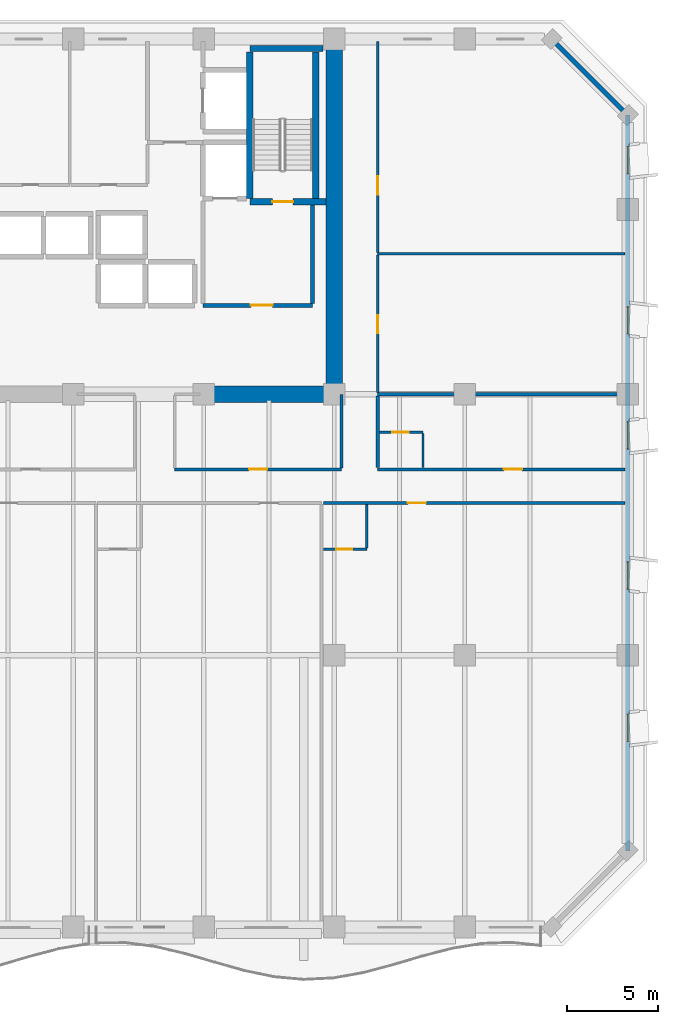
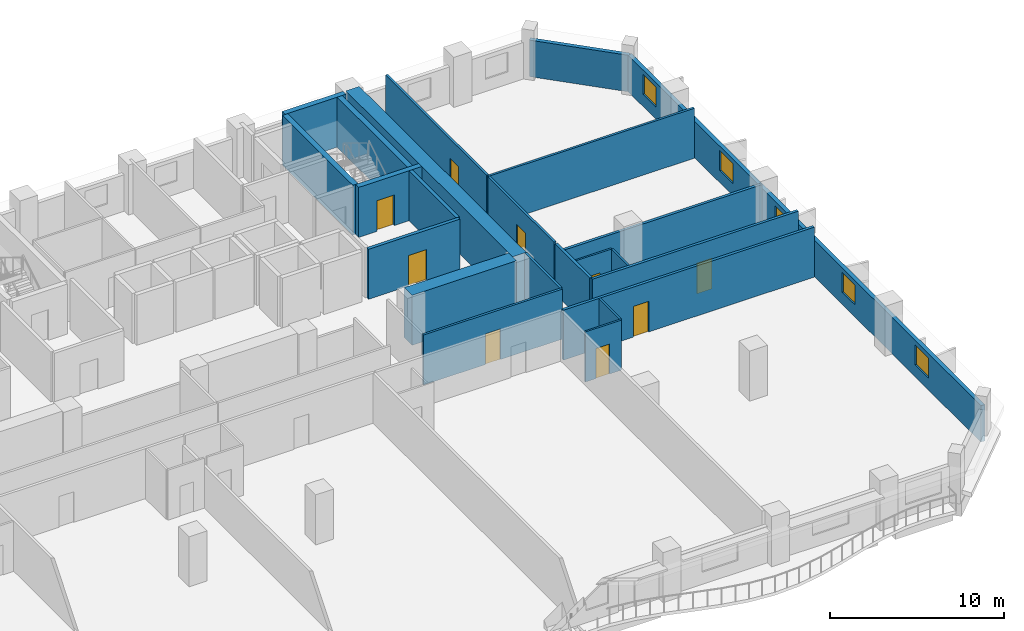
# One storey, part 10 of 15: 23 walls, 9 doors, 5 windows, 14 openings.
"""IFC4 building model written with IfcOpenShell, lengths in metres."""

from ifc_helpers import new_model, si_unit, direction, frame, frame_2d, origin, place, context, subcontext, project, spatial, rectangle, extrude, material, layer, layer_set, type_object, element, fill, save


model = new_model("IFC4")

# Units and contexts
model_context = context("Model", 3, precision=1e-05, world=origin(), true_north=direction((0.0, 1.0)))
body_context = subcontext(model_context, "Body", "Model", "MODEL_VIEW")
ifc_project = project(units=[si_unit("LENGTHUNIT", "METRE"), si_unit("AREAUNIT", "SQUARE_METRE"), si_unit("VOLUMEUNIT", "CUBIC_METRE"), si_unit("PLANEANGLEUNIT", "RADIAN"), si_unit("MASSUNIT", "GRAM", prefix="KILO")], contexts=[model_context])

# Site, building, storey
site_placement = place(None, origin())
site = spatial("IfcSite", under=ifc_project, at=site_placement, CompositionType="ELEMENT")
building_placement = place(site_placement, origin())
building = spatial("IfcBuilding", under=site, at=building_placement, Name="Kaelvorn Grand Hotel", CompositionType="ELEMENT")
storey_placement = place(building_placement, frame((0.0, 0.0, 115.550048828125)))
storey = spatial("IfcBuildingStorey", under=building, at=storey_placement, Name="L27", CompositionType="ELEMENT", Elevation=115.550048828125)

# Walls
ifc_material_1 = material(Name="Concrete C60/75", Category="concrete")
ifc_layer_1 = layer(ifc_material_1, 0.89990234375)
ifc_layer_set_1 = layer_set([ifc_layer_1], Name="Concrete C60/75")
wall_type_1 = type_object("IfcWallType", Name="WL-CORE-900-C60", PredefinedType="SHEAR", material=ifc_layer_set_1)
wall_1_placement = place(storey_placement, frame((67.800048828125, 29.39990234375, 0.0), z_axis=(0.0, 0.0, 1.0), x_axis=(0.0, 1.0, 0.0)))
element("IfcWall", 1, at=wall_1_placement, inside=storey, type_object=wall_type_1, Name="L27 Rear-Core East Shear Wall", PredefinedType="SHEAR", context=body_context, shape_type="SweptSolid", body=[
    extrude(rectangle(XDim=19.2001953125, YDim=0.89990234375, at=frame_2d((9.60009765625, 0.0))), origin(), (0.0, 0.0, 1.0), 3.510009765625),
])
wall_2_placement = place(storey_placement, frame((60.39990234375, 29.39990234375, 0.0), z_axis=(0.0, 0.0, 1.0), x_axis=(1.0, 0.0, 0.0)))
element("IfcWall", 2, at=wall_2_placement, inside=storey, type_object=wall_type_1, Name="L27 Rear-Core Coupled Shear Pier S4", PredefinedType="SHEAR", context=body_context, shape_type="SweptSolid", body=[
    extrude(rectangle(XDim=6.945068359375, YDim=0.89990234375, at=frame_2d((3.47265625, 0.0))), origin(), (0.0, 0.0, 1.0), 3.510009765625),
])

# Wall, openings, windows
ifc_material_2 = material(Name="Concrete C40/50", Category="concrete")
ifc_layer_2 = layer(ifc_material_2, 0.260009765625)
ifc_layer_set_2 = layer_set([ifc_layer_2], Name="Concrete C40/50")
wall_type_2 = type_object("IfcWallType", Name="WL-EXT-260-C40", PredefinedType="SOLIDWALL", material=ifc_layer_set_2)
wall_3_placement = place(storey_placement, frame((84.0, 4.199951171875, 0.0), z_axis=(0.0, 0.0, 1.0), x_axis=(0.0, 1.0, 0.0)))
wall_3 = element("IfcWall", 3, at=wall_3_placement, inside=storey, type_object=wall_type_2, Name="L27 Exterior Architectural Concrete Wall 03", PredefinedType="SOLIDWALL", context=body_context, shape_type="SweptSolid", body=[
    extrude(rectangle(XDim=40.60009765625, YDim=0.260009765625, at=frame_2d((20.300048828125, 0.0))), origin(), (0.0, 0.0, 1.0), 2.56005859375),
])
opening_1_placement = place(wall_3_placement, frame((6.050048828125, 0.0, 0.85009765625)))
opening_1 = element("IfcOpeningElement", 4, at=opening_1_placement, cuts=wall_3, Name="Opening W10", PredefinedType="OPENING", context=body_context, shape_type="SweptSolid", body=[
    extrude(rectangle(XDim=1.5, YDim=1.39990234375, at=frame_2d((0.75, 0.699951171875))), frame((0.0, 0.14013671875, 0.0), z_axis=(0.0, -1.0, 0.0), x_axis=(1.0, 0.0, 0.0)), (0.0, 0.0, 1.0), 0.280029296875),
])
opening_2_placement = place(wall_3_placement, frame((14.449951171875, 0.0, 0.85009765625)))
opening_2 = element("IfcOpeningElement", 5, at=opening_2_placement, cuts=wall_3, Name="Opening W10", PredefinedType="OPENING", context=body_context, shape_type="SweptSolid", body=[
    extrude(rectangle(XDim=1.5, YDim=1.39990234375, at=frame_2d((0.75, 0.699951171875))), frame((0.0, 0.14013671875, 0.0), z_axis=(0.0, -1.0, 0.0), x_axis=(1.0, 0.0, 0.0)), (0.0, 0.0, 1.0), 0.280029296875),
])
opening_3_placement = place(wall_3_placement, frame((22.175048828125, 0.0, 0.85009765625)))
opening_3 = element("IfcOpeningElement", 6, at=opening_3_placement, cuts=wall_3, Name="Opening W10", PredefinedType="OPENING", context=body_context, shape_type="SweptSolid", body=[
    extrude(rectangle(XDim=1.5, YDim=1.39990234375, at=frame_2d((0.75, 0.699951171875))), frame((0.0, 0.14013671875, 0.0), z_axis=(0.0, -1.0, 0.0), x_axis=(1.0, 0.0, 0.0)), (0.0, 0.0, 1.0), 0.280029296875),
])
opening_4_placement = place(wall_3_placement, frame((28.52490234375, 0.0, 0.85009765625)))
opening_4 = element("IfcOpeningElement", 7, at=opening_4_placement, cuts=wall_3, Name="Opening W10", PredefinedType="OPENING", context=body_context, shape_type="SweptSolid", body=[
    extrude(rectangle(XDim=1.5, YDim=1.39990234375, at=frame_2d((0.75, 0.699951171875))), frame((0.0, 0.14013671875, 0.0), z_axis=(0.0, -1.0, 0.0), x_axis=(1.0, 0.0, 0.0)), (0.0, 0.0, 1.0), 0.280029296875),
])
opening_5_placement = place(wall_3_placement, frame((37.364990234375, 0.0, 0.85009765625)))
opening_5 = element("IfcOpeningElement", 8, at=opening_5_placement, cuts=wall_3, Name="Opening W10", PredefinedType="OPENING", context=body_context, shape_type="SweptSolid", body=[
    extrude(rectangle(XDim=1.5, YDim=1.39990234375, at=frame_2d((0.75, 0.699951171875))), frame((0.0, 0.14013671875, 0.0), z_axis=(0.0, -1.0, 0.0), x_axis=(1.0, 0.0, 0.0)), (0.0, 0.0, 1.0), 0.280029296875),
])
ifc_material_3 = material(Name="Laminated Low-E Glass", Category="glass")
window_type = type_object("IfcWindowType", Name="WIN-COR-1500x1400", PartitioningType="SINGLE_PANEL", PredefinedType="WINDOW", material=ifc_material_3)
window_1_placement = place(opening_1_placement, origin())
window_1 = element("IfcWindow", 9, at=window_1_placement, inside=storey, type_object=window_type, Name="L27 E Wing Tilted-Frame Ribbon Window E01", OverallHeight=1.39990234375, OverallWidth=1.5, PartitioningType="SINGLE_PANEL", PredefinedType="WINDOW", context=body_context, shape_type="SweptSolid", body=[
    extrude(rectangle(XDim=1.5, YDim=1.39990234375, at=frame_2d((0.75, 0.699951171875))), frame((0.0, 0.030029296875, 0.0), z_axis=(0.0, -1.0, 0.0), x_axis=(1.0, 0.0, 0.0)), (0.0, 0.0, 1.0), 0.06005859375),
])
fill(opening_1, window_1)
window_2_placement = place(opening_2_placement, origin())
window_2 = element("IfcWindow", 10, at=window_2_placement, inside=storey, type_object=window_type, Name="L27 E Wing Tilted-Frame Ribbon Window E02", OverallHeight=1.39990234375, OverallWidth=1.5, PartitioningType="SINGLE_PANEL", PredefinedType="WINDOW", context=body_context, shape_type="SweptSolid", body=[
    extrude(rectangle(XDim=1.5, YDim=1.39990234375, at=frame_2d((0.75, 0.699951171875))), frame((0.0, 0.030029296875, 0.0), z_axis=(0.0, -1.0, 0.0), x_axis=(1.0, 0.0, 0.0)), (0.0, 0.0, 1.0), 0.06005859375),
])
fill(opening_2, window_2)
window_3_placement = place(opening_3_placement, origin())
window_3 = element("IfcWindow", 11, at=window_3_placement, inside=storey, type_object=window_type, Name="L27 E Wing Tilted-Frame Ribbon Window E03", OverallHeight=1.39990234375, OverallWidth=1.5, PartitioningType="SINGLE_PANEL", PredefinedType="WINDOW", context=body_context, shape_type="SweptSolid", body=[
    extrude(rectangle(XDim=1.5, YDim=1.39990234375, at=frame_2d((0.75, 0.699951171875))), frame((0.0, 0.030029296875, 0.0), z_axis=(0.0, -1.0, 0.0), x_axis=(1.0, 0.0, 0.0)), (0.0, 0.0, 1.0), 0.06005859375),
])
fill(opening_3, window_3)
window_4_placement = place(opening_4_placement, origin())
window_4 = element("IfcWindow", 12, at=window_4_placement, inside=storey, type_object=window_type, Name="L27 E Wing Tilted-Frame Ribbon Window E04", OverallHeight=1.39990234375, OverallWidth=1.5, PartitioningType="SINGLE_PANEL", PredefinedType="WINDOW", context=body_context, shape_type="SweptSolid", body=[
    extrude(rectangle(XDim=1.5, YDim=1.39990234375, at=frame_2d((0.75, 0.699951171875))), frame((0.0, 0.030029296875, 0.0), z_axis=(0.0, -1.0, 0.0), x_axis=(1.0, 0.0, 0.0)), (0.0, 0.0, 1.0), 0.06005859375),
])
fill(opening_4, window_4)
window_5_placement = place(opening_5_placement, origin())
window_5 = element("IfcWindow", 13, at=window_5_placement, inside=storey, type_object=window_type, Name="L27 E Wing Tilted-Frame Ribbon Window E05", OverallHeight=1.39990234375, OverallWidth=1.5, PartitioningType="SINGLE_PANEL", PredefinedType="WINDOW", context=body_context, shape_type="SweptSolid", body=[
    extrude(rectangle(XDim=1.5, YDim=1.39990234375, at=frame_2d((0.75, 0.699951171875))), frame((0.0, 0.030029296875, 0.0), z_axis=(0.0, -1.0, 0.0), x_axis=(1.0, 0.0, 0.0)), (0.0, 0.0, 1.0), 0.06005859375),
])
fill(opening_5, window_5)

# Wall
wall_4_placement = place(storey_placement, frame((84.0, 44.800048828125, 0.0), z_axis=(0.0, 0.0, 1.0), x_axis=(-0.707106781187, 0.707106781187, 0.0)))
element("IfcWall", 14, at=wall_4_placement, inside=storey, type_object=wall_type_2, Name="L27 Exterior Architectural Concrete Wall 04", PredefinedType="SOLIDWALL", context=body_context, shape_type="SweptSolid", body=[
    extrude(rectangle(XDim=5.939697265625, YDim=0.260009765625, at=frame_2d((2.9697265625, 0.0))), origin(), (0.0, 0.0, 1.0), 2.56005859375),
])

# Wall, opening, door
ifc_material_4 = material(Name="Moisture-Resistant Tile & Stud Board")
ifc_layer_3 = layer(ifc_material_4, 0.125)
ifc_layer_set_3 = layer_set([ifc_layer_3], Name="Moisture-Resistant Tile & Stud Board")
wall_type_3 = type_object("IfcWallType", Name="WL-PART-125-WET", PredefinedType="PARTITIONING", material=ifc_layer_set_3)
wall_5_placement = place(storey_placement, frame((67.1953125, 20.85009765625, 0.0), z_axis=(0.0, 0.0, 1.0), x_axis=(1.0, 0.0, 0.0)))
wall_5 = element("IfcWall", 15, at=wall_5_placement, inside=storey, type_object=wall_type_3, Name="L27 En-suite Bathroom L27-06 S Partition", PredefinedType="PARTITIONING", context=body_context, shape_type="SweptSolid", body=[
    extrude(rectangle(XDim=2.405029296875, YDim=0.125, at=frame_2d((1.20263671875, 0.0))), origin(), (0.0, 0.0, 1.0), 3.510009765625),
])
opening_6_placement = place(wall_5_placement, frame((0.705078125, 0.0, 0.0)))
opening_6 = element("IfcOpeningElement", 16, at=opening_6_placement, cuts=wall_5, Name="Opening DI4", PredefinedType="OPENING", context=body_context, shape_type="SweptSolid", body=[
    extrude(rectangle(XDim=0.89990234375, YDim=2.10009765625, at=frame_2d((0.449951171875, 1.050048828125))), frame((0.0, 0.072509765625, 0.0), z_axis=(0.0, -1.0, 0.0), x_axis=(1.0, 0.0, 0.0)), (0.0, 0.0, 1.0), 0.14501953125),
])
ifc_material_5 = material(Name="Timber Veneer Leaf", Category="wood")
door_type_1 = type_object("IfcDoorType", Name="DR-INT-BATH-900x2100", OperationType="NOTDEFINED", PredefinedType="DOOR", material=ifc_material_5)
door_1_placement = place(opening_6_placement, origin())
door_1 = element("IfcDoor", 17, at=door_1_placement, inside=storey, type_object=door_type_1, Name="L27 En-suite Bathroom L27-06 Door", OperationType="SINGLE_SWING_LEFT", OverallHeight=2.10009765625, OverallWidth=0.89990234375, PredefinedType="DOOR", context=body_context, shape_type="SweptSolid", body=[
    extrude(rectangle(XDim=0.89990234375, YDim=2.10009765625, at=frame_2d((0.449951171875, 1.050048828125))), frame((0.0, 0.02490234375, 0.0), z_axis=(0.0, -1.0, 0.0), x_axis=(1.0, 0.0, 0.0)), (0.0, 0.0, 1.0), 0.050048828125),
])
fill(opening_6, door_1)

# Wall
wall_6_placement = place(storey_placement, frame((69.600341796875, 20.91748046875, 0.0), z_axis=(0.0, 0.0, 1.0), x_axis=(0.0, 1.0, 0.0)))
element("IfcWall", 18, at=wall_6_placement, inside=storey, type_object=wall_type_3, Name="L27 En-suite Bathroom L27-06 E Partition", PredefinedType="PARTITIONING", context=body_context, shape_type="SweptSolid", body=[
    extrude(rectangle(XDim=2.387451171875, YDim=0.125, at=frame_2d((1.19384765625, 0.0))), origin(), (0.0, 0.0, 1.0), 3.510009765625),
])

# Wall, opening, door
wall_7_placement = place(storey_placement, frame((70.294921875, 27.300048828125, 0.0), z_axis=(0.0, 0.0, 1.0), x_axis=(1.0, 0.0, 0.0)))
wall_7 = element("IfcWall", 19, at=wall_7_placement, inside=storey, type_object=wall_type_3, Name="L27 En-suite Bathroom L27-08 N Partition", PredefinedType="PARTITIONING", context=body_context, shape_type="SweptSolid", body=[
    extrude(rectangle(XDim=2.405029296875, YDim=0.125, at=frame_2d((1.20263671875, 0.0))), origin(), (0.0, 0.0, 1.0), 3.510009765625),
])
opening_7_placement = place(wall_7_placement, frame((0.705078125, 0.0, 0.0)))
opening_7 = element("IfcOpeningElement", 20, at=opening_7_placement, cuts=wall_7, Name="Opening DI4", PredefinedType="OPENING", context=body_context, shape_type="SweptSolid", body=[
    extrude(rectangle(XDim=0.89990234375, YDim=2.10009765625, at=frame_2d((0.449951171875, 1.050048828125))), frame((0.0, 0.072509765625, 0.0), z_axis=(0.0, -1.0, 0.0), x_axis=(1.0, 0.0, 0.0)), (0.0, 0.0, 1.0), 0.14501953125),
])
door_2_placement = place(opening_7_placement, origin())
door_2 = element("IfcDoor", 21, at=door_2_placement, inside=storey, type_object=door_type_1, Name="L27 En-suite Bathroom L27-08 Door", OperationType="SINGLE_SWING_LEFT", OverallHeight=2.10009765625, OverallWidth=0.89990234375, PredefinedType="DOOR", context=body_context, shape_type="SweptSolid", body=[
    extrude(rectangle(XDim=0.89990234375, YDim=2.10009765625, at=frame_2d((0.449951171875, 1.050048828125))), frame((0.0, 0.02490234375, 0.0), z_axis=(0.0, -1.0, 0.0), x_axis=(1.0, 0.0, 0.0)), (0.0, 0.0, 1.0), 0.050048828125),
])
fill(opening_7, door_2)

# Wall
wall_8_placement = place(storey_placement, frame((72.699951171875, 25.344970703125, 0.0), z_axis=(0.0, 0.0, 1.0), x_axis=(0.0, 1.0, 0.0)))
element("IfcWall", 22, at=wall_8_placement, inside=storey, type_object=wall_type_3, Name="L27 En-suite Bathroom L27-08 E Partition", PredefinedType="PARTITIONING", context=body_context, shape_type="SweptSolid", body=[
    extrude(rectangle(XDim=1.887451171875, YDim=0.125, at=frame_2d((0.94384765625, 0.0))), origin(), (0.0, 0.0, 1.0), 3.510009765625),
])

# Wall, opening, door
ifc_material_6 = material(Name="Acoustic Gypsum & Stud Partition")
ifc_layer_4 = layer(ifc_material_6, 0.14990234375)
ifc_layer_set_4 = layer_set([ifc_layer_4], Name="Acoustic Gypsum & Stud Partition")
wall_type_4 = type_object("IfcWallType", Name="WL-PART-150-EI60", PredefinedType="PARTITIONING", material=ifc_layer_set_4)
wall_9_placement = place(storey_placement, frame((59.0, 25.25, 0.0), z_axis=(0.0, 0.0, 1.0), x_axis=(1.0, 0.0, 0.0)))
wall_9 = element("IfcWall", 23, at=wall_9_placement, inside=storey, type_object=wall_type_4, Name="L27 Trade Advisory Office S Partition", PredefinedType="PARTITIONING", context=body_context, shape_type="SweptSolid", body=[
    extrude(rectangle(XDim=9.199951171875, YDim=0.14990234375, at=frame_2d((4.60009765625, 0.0))), origin(), (0.0, 0.0, 1.0), 3.510009765625),
])
opening_8_placement = place(wall_9_placement, frame((4.10009765625, 0.0, 0.0)))
opening_8 = element("IfcOpeningElement", 24, at=opening_8_placement, cuts=wall_9, Name="Opening DI3", PredefinedType="OPENING", context=body_context, shape_type="SweptSolid", body=[
    extrude(rectangle(XDim=1.0, YDim=2.14990234375, at=frame_2d((0.5, 1.074951171875))), frame((0.0, 0.0849609375, 0.0), z_axis=(0.0, -1.0, 0.0), x_axis=(1.0, 0.0, 0.0)), (0.0, 0.0, 1.0), 0.169921875),
])
ifc_material_7 = material(Name="Timber Veneer Fire Leaf", Category="wood")
door_type_2 = type_object("IfcDoorType", Name="DR-INT-GUEST-1000x2150", OperationType="NOTDEFINED", PredefinedType="DOOR", material=ifc_material_7)
door_3_placement = place(opening_8_placement, origin())
door_3 = element("IfcDoor", 25, at=door_3_placement, inside=storey, type_object=door_type_2, Name="L27 Trade Advisory Office Door", OperationType="SINGLE_SWING_LEFT", OverallHeight=2.14990234375, OverallWidth=1.0, PredefinedType="DOOR", context=body_context, shape_type="SweptSolid", body=[
    extrude(rectangle(XDim=1.0, YDim=2.14990234375, at=frame_2d((0.5, 1.074951171875))), frame((0.0, 0.02490234375, 0.0), z_axis=(0.0, -1.0, 0.0), x_axis=(1.0, 0.0, 0.0)), (0.0, 0.0, 1.0), 0.050048828125),
])
fill(opening_8, door_3)

# Walls
wall_10_placement = place(storey_placement, frame((68.199951171875, 25.330078125, 0.0), z_axis=(0.0, 0.0, 1.0), x_axis=(0.0, 1.0, 0.0)))
element("IfcWall", 26, at=wall_10_placement, inside=storey, type_object=wall_type_4, Name="L27 Trade Advisory Office E Partition", PredefinedType="PARTITIONING", context=body_context, shape_type="SweptSolid", body=[
    extrude(rectangle(XDim=4.059814453125, YDim=0.14990234375, at=frame_2d((2.02978515625, 0.0))), origin(), (0.0, 0.0, 1.0), 3.510009765625),
])
wall_11_placement = place(storey_placement, frame((70.199951171875, 37.14990234375, 0.0), z_axis=(0.0, 0.0, 1.0), x_axis=(1.0, 0.0, 0.0)))
element("IfcWall", 27, at=wall_11_placement, inside=storey, type_object=wall_type_4, Name="L27 North-East Trade Advisory Office N Partition", PredefinedType="PARTITIONING", context=body_context, shape_type="SweptSolid", body=[
    extrude(rectangle(XDim=13.650146484375, YDim=0.14990234375, at=frame_2d((6.8251953125, 0.0))), origin(), (0.0, 0.0, 1.0), 3.510009765625),
])

# Wall, opening, door
wall_12_placement = place(storey_placement, frame((70.199951171875, 29.4951171875, 0.0), z_axis=(0.0, 0.0, 1.0), x_axis=(0.0, 1.0, 0.0)))
wall_12 = element("IfcWall", 28, at=wall_12_placement, inside=storey, type_object=wall_type_4, Name="L27 North-East Trade Advisory Office W Partition", PredefinedType="PARTITIONING", context=body_context, shape_type="SweptSolid", body=[
    extrude(rectangle(XDim=7.574951171875, YDim=0.14990234375, at=frame_2d((3.78759765625, 0.0))), origin(), (0.0, 0.0, 1.0), 3.510009765625),
])
opening_9_placement = place(wall_12_placement, frame((3.27490234375, 0.0, 0.0)))
opening_9 = element("IfcOpeningElement", 29, at=opening_9_placement, cuts=wall_12, Name="Opening DI3", PredefinedType="OPENING", context=body_context, shape_type="SweptSolid", body=[
    extrude(rectangle(XDim=1.0, YDim=2.14990234375, at=frame_2d((0.5, 1.074951171875))), frame((0.0, 0.0849609375, 0.0), z_axis=(0.0, -1.0, 0.0), x_axis=(1.0, 0.0, 0.0)), (0.0, 0.0, 1.0), 0.169921875),
])
door_4_placement = place(opening_9_placement, origin())
door_4 = element("IfcDoor", 30, at=door_4_placement, inside=storey, type_object=door_type_2, Name="L27 North-East Trade Advisory Office Door", OperationType="SINGLE_SWING_RIGHT", OverallHeight=2.14990234375, OverallWidth=1.0, PredefinedType="DOOR", context=body_context, shape_type="SweptSolid", body=[
    extrude(rectangle(XDim=1.0, YDim=2.14990234375, at=frame_2d((0.5, 1.074951171875))), frame((0.0, 0.02490234375, 0.0), z_axis=(0.0, -1.0, 0.0), x_axis=(1.0, 0.0, 0.0)), (0.0, 0.0, 1.0), 0.050048828125),
])
fill(opening_9, door_4)

wall_13_placement = place(storey_placement, frame((70.199951171875, 37.22998046875, 0.0), z_axis=(0.0, 0.0, 1.0), x_axis=(0.0, 1.0, 0.0)))
wall_13 = element("IfcWall", 31, at=wall_13_placement, inside=storey, type_object=wall_type_4, Name="L27 North-East Botanical Conservatory Salon W Partition", PredefinedType="PARTITIONING", context=body_context, shape_type="SweptSolid", body=[
    extrude(rectangle(XDim=11.6201171875, YDim=0.14990234375, at=frame_2d((5.81005859375, 0.0))), origin(), (0.0, 0.0, 1.0), 3.510009765625),
])
opening_10_placement = place(wall_13_placement, frame((3.18994140625, 0.0, 0.0)))
opening_10 = element("IfcOpeningElement", 32, at=opening_10_placement, cuts=wall_13, Name="Opening DI3", PredefinedType="OPENING", context=body_context, shape_type="SweptSolid", body=[
    extrude(rectangle(XDim=1.0, YDim=2.14990234375, at=frame_2d((0.5, 1.074951171875))), frame((0.0, 0.0849609375, 0.0), z_axis=(0.0, -1.0, 0.0), x_axis=(1.0, 0.0, 0.0)), (0.0, 0.0, 1.0), 0.169921875),
])
door_5_placement = place(opening_10_placement, origin())
door_5 = element("IfcDoor", 33, at=door_5_placement, inside=storey, type_object=door_type_2, Name="L27 North-East Botanical Conservatory Salon Door", OperationType="SINGLE_SWING_LEFT", OverallHeight=2.14990234375, OverallWidth=1.0, PredefinedType="DOOR", context=body_context, shape_type="SweptSolid", body=[
    extrude(rectangle(XDim=1.0, YDim=2.14990234375, at=frame_2d((0.5, 1.074951171875))), frame((0.0, 0.02490234375, 0.0), z_axis=(0.0, -1.0, 0.0), x_axis=(1.0, 0.0, 0.0)), (0.0, 0.0, 1.0), 0.050048828125),
])
fill(opening_10, door_5)

ifc_layer_5 = layer(ifc_material_6, 0.179931640625)
ifc_layer_set_5 = layer_set([ifc_layer_5], Name="Acoustic Gypsum & Stud Partition")
wall_type_5 = type_object("IfcWallType", Name="WL-PART-180-EI60", PredefinedType="PARTITIONING", material=ifc_layer_set_5)
wall_14_placement = place(storey_placement, frame((67.1953125, 23.39990234375, 0.0), z_axis=(0.0, 0.0, 1.0), x_axis=(1.0, 0.0, 0.0)))
wall_14 = element("IfcWall", 34, at=wall_14_placement, inside=storey, type_object=wall_type_5, Name="L27 Presidential Sky Suite L27-06 N Partition", PredefinedType="PARTITIONING", context=body_context, shape_type="SweptSolid", body=[
    extrude(rectangle(XDim=16.65478515625, YDim=0.179931640625, at=frame_2d((8.327392578125, 0.0))), origin(), (0.0, 0.0, 1.0), 3.510009765625),
])
opening_11_placement = place(wall_14_placement, frame((4.664794921875, 0.0, 0.0)))
opening_11 = element("IfcOpeningElement", 35, at=opening_11_placement, cuts=wall_14, Name="Opening DI3", PredefinedType="OPENING", context=body_context, shape_type="SweptSolid", body=[
    extrude(rectangle(XDim=1.0, YDim=2.14990234375, at=frame_2d((0.5, 1.074951171875))), frame((0.0, 0.10009765625, 0.0), z_axis=(0.0, -1.0, 0.0), x_axis=(1.0, 0.0, 0.0)), (0.0, 0.0, 1.0), 0.199951171875),
])
door_6_placement = place(opening_11_placement, origin())
door_6 = element("IfcDoor", 36, at=door_6_placement, inside=storey, type_object=door_type_2, Name="L27 Presidential Sky Suite L27-06 Door", OperationType="SINGLE_SWING_RIGHT", OverallHeight=2.14990234375, OverallWidth=1.0, PredefinedType="DOOR", context=body_context, shape_type="SweptSolid", body=[
    extrude(rectangle(XDim=1.0, YDim=2.14990234375, at=frame_2d((0.5, 1.074951171875))), frame((0.0, 0.02490234375, 0.0), z_axis=(0.0, -1.0, 0.0), x_axis=(1.0, 0.0, 0.0)), (0.0, 0.0, 1.0), 0.050048828125),
])
fill(opening_11, door_6)

wall_15_placement = place(storey_placement, frame((70.199951171875, 25.25, 0.0), z_axis=(0.0, 0.0, 1.0), x_axis=(1.0, 0.0, 0.0)))
wall_15 = element("IfcWall", 37, at=wall_15_placement, inside=storey, type_object=wall_type_5, Name="L27 East Chamfer Corner Suite L27-08 S Partition", PredefinedType="PARTITIONING", context=body_context, shape_type="SweptSolid", body=[
    extrude(rectangle(XDim=13.650146484375, YDim=0.179931640625, at=frame_2d((6.8251953125, 0.0))), origin(), (0.0, 0.0, 1.0), 3.510009765625),
])
opening_12_placement = place(wall_15_placement, frame((6.965087890625, 0.0, 0.0)))
opening_12 = element("IfcOpeningElement", 38, at=opening_12_placement, cuts=wall_15, Name="Opening DI3", PredefinedType="OPENING", context=body_context, shape_type="SweptSolid", body=[
    extrude(rectangle(XDim=1.0, YDim=2.14990234375, at=frame_2d((0.5, 1.074951171875))), frame((0.0, 0.10009765625, 0.0), z_axis=(0.0, -1.0, 0.0), x_axis=(1.0, 0.0, 0.0)), (0.0, 0.0, 1.0), 0.199951171875),
])
door_7_placement = place(opening_12_placement, origin())
door_7 = element("IfcDoor", 39, at=door_7_placement, inside=storey, type_object=door_type_2, Name="L27 East Chamfer Corner Suite L27-08 Door", OperationType="SINGLE_SWING_RIGHT", OverallHeight=2.14990234375, OverallWidth=1.0, PredefinedType="DOOR", context=body_context, shape_type="SweptSolid", body=[
    extrude(rectangle(XDim=1.0, YDim=2.14990234375, at=frame_2d((0.5, 1.074951171875))), frame((0.0, 0.02490234375, 0.0), z_axis=(0.0, -1.0, 0.0), x_axis=(1.0, 0.0, 0.0)), (0.0, 0.0, 1.0), 0.050048828125),
])
fill(opening_12, door_7)

# Walls
wall_16_placement = place(storey_placement, frame((70.199951171875, 29.39990234375, 0.0), z_axis=(0.0, 0.0, 1.0), x_axis=(1.0, 0.0, 0.0)))
element("IfcWall", 40, at=wall_16_placement, inside=storey, type_object=wall_type_5, Name="L27 East Chamfer Corner Suite L27-08 N Partition", PredefinedType="PARTITIONING", context=body_context, shape_type="SweptSolid", body=[
    extrude(rectangle(XDim=13.650146484375, YDim=0.179931640625, at=frame_2d((6.8251953125, 0.0))), origin(), (0.0, 0.0, 1.0), 2.85986328125),
])
wall_17_placement = place(storey_placement, frame((70.199951171875, 25.344970703125, 0.0), z_axis=(0.0, 0.0, 1.0), x_axis=(0.0, 1.0, 0.0)))
element("IfcWall", 41, at=wall_17_placement, inside=storey, type_object=wall_type_5, Name="L27 East Chamfer Corner Suite L27-08 W Partition", PredefinedType="PARTITIONING", context=body_context, shape_type="SweptSolid", body=[
    extrude(rectangle(XDim=3.9599609375, YDim=0.179931640625, at=frame_2d((1.97998046875, 0.0))), origin(), (0.0, 0.0, 1.0), 3.510009765625),
])

# Wall, opening, door
ifc_layer_6 = layer(ifc_material_2, 0.219970703125)
ifc_layer_set_6 = layer_set([ifc_layer_6], Name="Concrete C40/50")
wall_type_6 = type_object("IfcWallType", Name="WL-PART-220-EI120", PredefinedType="PARTITIONING", material=ifc_layer_set_6)
wall_18_placement = place(storey_placement, frame((60.550048828125, 34.300048828125, 0.0), z_axis=(0.0, 0.0, 1.0), x_axis=(1.0, 0.0, 0.0)))
wall_18 = element("IfcWall", 42, at=wall_18_placement, inside=storey, type_object=wall_type_6, Name="L27 Firefighting Lift Lobby 2 S Partition", PredefinedType="PARTITIONING", context=body_context, shape_type="SweptSolid", body=[
    extrude(rectangle(XDim=6.050048828125, YDim=0.219970703125, at=frame_2d((3.02490234375, 0.0))), origin(), (0.0, 0.0, 1.0), 3.510009765625),
])
opening_13_placement = place(wall_18_placement, frame((2.64990234375, 0.0, 0.0)))
opening_13 = element("IfcOpeningElement", 43, at=opening_13_placement, cuts=wall_18, Name="Opening DI2", PredefinedType="OPENING", context=body_context, shape_type="SweptSolid", body=[
    extrude(rectangle(XDim=1.199951171875, YDim=2.14990234375, at=frame_2d((0.60009765625, 1.074951171875))), frame((0.0, 0.1201171875, 0.0), z_axis=(0.0, -1.0, 0.0), x_axis=(1.0, 0.0, 0.0)), (0.0, 0.0, 1.0), 0.239990234375),
])
door_type_3 = type_object("IfcDoorType", Name="DR-INT-FFLOB-1200x2150", OperationType="NOTDEFINED", PredefinedType="DOOR", material=ifc_material_7)
door_8_placement = place(opening_13_placement, origin())
door_8 = element("IfcDoor", 44, at=door_8_placement, inside=storey, type_object=door_type_3, Name="L27 Firefighting Lift Lobby 2 Door", OperationType="SINGLE_SWING_RIGHT", OverallHeight=2.14990234375, OverallWidth=1.199951171875, PredefinedType="DOOR", context=body_context, shape_type="SweptSolid", body=[
    extrude(rectangle(XDim=1.199951171875, YDim=2.14990234375, at=frame_2d((0.60009765625, 1.074951171875))), frame((0.0, 0.02490234375, 0.0), z_axis=(0.0, -1.0, 0.0), x_axis=(1.0, 0.0, 0.0)), (0.0, 0.0, 1.0), 0.050048828125),
])
fill(opening_13, door_8)

# Wall
wall_19_placement = place(storey_placement, frame((66.60009765625, 34.4150390625, 0.0), z_axis=(0.0, 0.0, 1.0), x_axis=(0.0, 1.0, 0.0)))
element("IfcWall", 45, at=wall_19_placement, inside=storey, type_object=wall_type_6, Name="L27 Firefighting Lift Lobby 2 E Partition", PredefinedType="PARTITIONING", context=body_context, shape_type="SweptSolid", body=[
    extrude(rectangle(XDim=5.429931640625, YDim=0.219970703125, at=frame_2d((2.71484375, 0.0))), origin(), (0.0, 0.0, 1.0), 3.510009765625),
])

# Wall, opening, door
ifc_layer_7 = layer(ifc_material_1, 0.35009765625)
ifc_layer_set_7 = layer_set([ifc_layer_7], Name="Concrete C60/75")
wall_type_7 = type_object("IfcWallType", Name="WL-SHAFT-350-C60", PredefinedType="SHEAR", material=ifc_layer_set_7)
wall_20_placement = place(storey_placement, frame((63.14501953125, 40.02490234375, 0.0), z_axis=(0.0, 0.0, 1.0), x_axis=(1.0, 0.0, 0.0)))
wall_20 = element("IfcWall", 46, at=wall_20_placement, inside=storey, type_object=wall_type_7, Name="L27 ST3 Stair Shaft South Wall", PredefinedType="SHEAR", context=body_context, shape_type="SweptSolid", body=[
    extrude(rectangle(XDim=4.199951171875, YDim=0.35009765625, at=frame_2d((2.10009765625, 0.0))), origin(), (0.0, 0.0, 1.0), 3.510009765625),
])
opening_14_placement = place(wall_20_placement, frame((1.239990234375, 0.0, 0.0)))
opening_14 = element("IfcOpeningElement", 47, at=opening_14_placement, cuts=wall_20, Name="Opening DI1", PredefinedType="OPENING", context=body_context, shape_type="SweptSolid", body=[
    extrude(rectangle(XDim=1.14990234375, YDim=2.14990234375, at=frame_2d((0.574951171875, 1.074951171875))), frame((0.0, 0.18505859375, 0.0), z_axis=(0.0, -1.0, 0.0), x_axis=(1.0, 0.0, 0.0)), (0.0, 0.0, 1.0), 0.3701171875),
])
door_type_4 = type_object("IfcDoorType", Name="DR-INT-STAIR-1150x2150", OperationType="NOTDEFINED", PredefinedType="DOOR", material=ifc_material_7)
door_9_placement = place(opening_14_placement, origin())
door_9 = element("IfcDoor", 48, at=door_9_placement, inside=storey, type_object=door_type_4, Name="L27 ST3 Exit Stair Fire Door", OperationType="SINGLE_SWING_RIGHT", OverallHeight=2.14990234375, OverallWidth=1.14990234375, PredefinedType="DOOR", context=body_context, shape_type="SweptSolid", body=[
    extrude(rectangle(XDim=1.14990234375, YDim=2.14990234375, at=frame_2d((0.574951171875, 1.074951171875))), frame((0.0, 0.02490234375, 0.0), z_axis=(0.0, -1.0, 0.0), x_axis=(1.0, 0.0, 0.0)), (0.0, 0.0, 1.0), 0.050048828125),
])
fill(opening_14, door_9)

# Walls
wall_21_placement = place(storey_placement, frame((63.14501953125, 48.47509765625, 0.0), z_axis=(0.0, 0.0, 1.0), x_axis=(1.0, 0.0, 0.0)))
element("IfcWall", 49, at=wall_21_placement, inside=storey, type_object=wall_type_7, Name="L27 ST3 Stair Shaft North Wall", PredefinedType="SHEAR", context=body_context, shape_type="SweptSolid", body=[
    extrude(rectangle(XDim=4.050048828125, YDim=0.35009765625, at=frame_2d((2.02490234375, 0.0))), origin(), (0.0, 0.0, 1.0), 3.510009765625),
])
for number, where, z_axis, x_axis, name in (
    (50, (63.14501953125, 40.205078125, 0.0), (0.0, 0.0, 1.0), (0.0, 1.0, 0.0), "L27 ST3 Stair Shaft West Wall"),
    (51, (66.77490234375, 40.205078125, 0.0), (0.0, 0.0, 1.0), (0.0, 1.0, 0.0), "L27 ST3 Stair Shaft East Wall"),
):
    element("IfcWall", number, at=place(storey_placement, frame(where, z_axis=z_axis, x_axis=x_axis)), inside=storey, type_object=wall_type_7, Name=name, PredefinedType="SHEAR", context=body_context, shape_type="SweptSolid", body=[
        extrude(rectangle(XDim=8.08984375, YDim=0.35009765625, at=frame_2d((4.044921875, 0.0))), origin(), (0.0, 0.0, 1.0), 3.510009765625),
    ])

save(model, "model.ifc")
